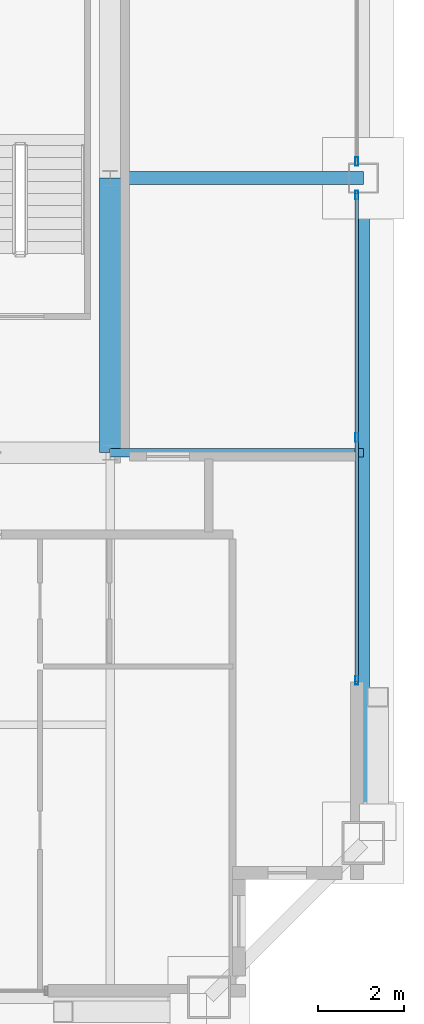
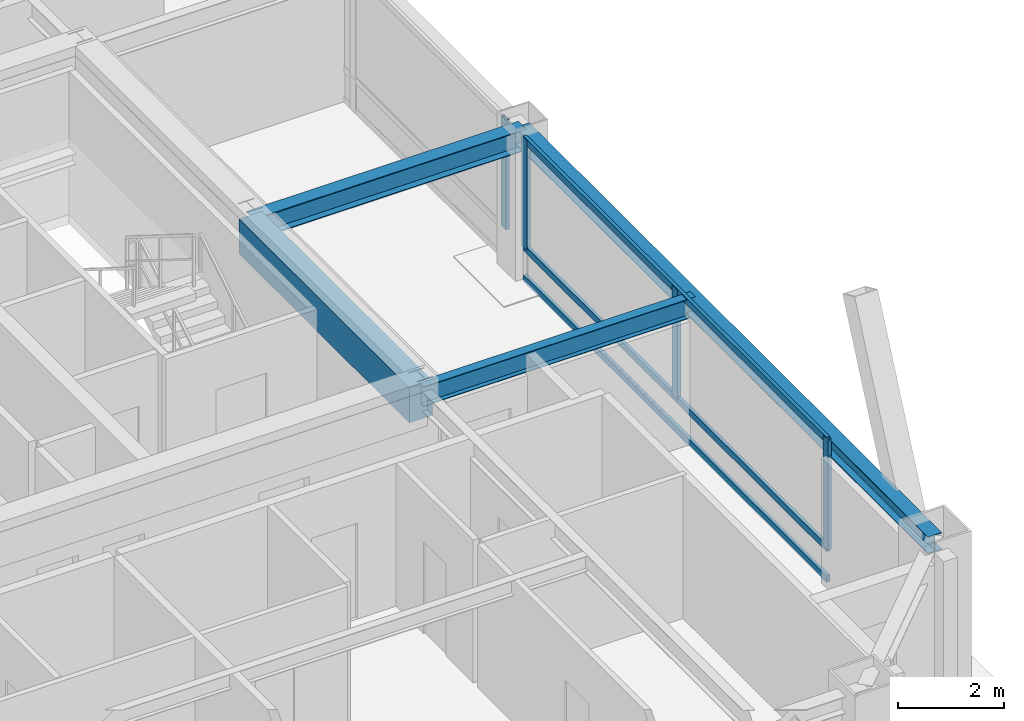
# One storey, part 14 of 35: 7 members, 4 beams, 2 elements without a shape of their own.
"""IFC4 building model written with IfcOpenShell, lengths in metres."""

from ifc_helpers import new_model, si_unit, direction, frame, origin, origin_2d, place, context, subcontext, project, spatial, rectangle, hollow_rectangle, i_section, extrude, source, transform, mapped, material, layer, layer_set, material_profile, profile_set, type_object, element, aggregate, save


model = new_model("IFC4")

# Units and contexts
model_context = context("Model", 3, precision=1e-05, world=origin(), true_north=direction((0.0, 1.0)))
body_context = subcontext(model_context, "Body", "Model", "MODEL_VIEW")
ifc_project = project(units=[si_unit("LENGTHUNIT", "METRE"), si_unit("AREAUNIT", "SQUARE_METRE"), si_unit("VOLUMEUNIT", "CUBIC_METRE"), si_unit("PLANEANGLEUNIT", "RADIAN"), si_unit("MASSUNIT", "GRAM", prefix="KILO"), si_unit("THERMODYNAMICTEMPERATUREUNIT", "KELVIN"), si_unit("POWERUNIT", "WATT")], contexts=[model_context])

# Site, building, storey
site_placement = place(None, origin())
site = spatial("IfcSite", under=ifc_project, at=site_placement, CompositionType="ELEMENT")
building_placement = place(site_placement, origin())
building = spatial("IfcBuilding", under=site, at=building_placement, Name="Yuzanri Waterfront Tower", CompositionType="ELEMENT")
storey_placement = place(building_placement, frame((0.0, 0.0, 285.60009765625)))
storey = spatial("IfcBuildingStorey", under=building, at=storey_placement, Name="L76", CompositionType="ELEMENT", Elevation=285.60009765625)

# Beams
ifc_material_1 = material(Name="Concrete C50", Category="concrete")
ifc_material_profile_1 = material_profile(ifc_material_1, rectangle(XDim=0.5, YDim=0.800048828125, at=origin_2d()), Name="RC 500x800")
ifc_profile_set_1 = profile_set([ifc_material_profile_1], Name="Concrete C50")
beam_type_1 = type_object("IfcBeamType", Name="Core Coupling Lintel Concrete C50 500x800", PredefinedType="LINTEL", material=ifc_profile_set_1)
shared_shape_1 = source(origin(), body_context, "Body", "SweptSolid", [
    extrude(rectangle(XDim=0.5, YDim=0.800048828125, at=origin_2d()), origin(), (0.0, 0.0, 1.0), 6.400146484375),
])
beam_1_placement = place(storey_placement, frame((50.199951171875, 19.39990234375, 2.8798828125), z_axis=(0.0, 1.0, 0.0), x_axis=(-1.0, 0.0, 0.0)))
element("IfcBeam", 1, at=beam_1_placement, inside=storey, type_object=beam_type_1, Name="L76 Core Tie Beam CE1", PredefinedType="LINTEL", context=body_context, shape_type="MappedRepresentation", body=[
    mapped(shared_shape_1, transform((0.0, 0.0, 0.0), scale=1.0)),
])
ifc_material_2 = material(Name="Steel Q355B", Category="steel")
ifc_material_profile_2 = material_profile(ifc_material_2, i_section(OverallWidth=0.300048828125, OverallDepth=0.389892578125, WebThickness=0.010009765625, FlangeThickness=0.01611328125, at=origin_2d()), Name="HM 390x300x10x16")
ifc_profile_set_2 = profile_set([ifc_material_profile_2], Name="Steel Q355B")
beam_type_2 = type_object("IfcBeamType", Name="Perimeter Spandrel Q355B HM 390x300", PredefinedType="SPANDREL", material=ifc_profile_set_2)
shared_shape_2 = source(origin(), body_context, "Body", "SweptSolid", [
    extrude(i_section(OverallWidth=0.300048828125, OverallDepth=0.389892578125, WebThickness=0.010009765625, FlangeThickness=0.01611328125, at=origin_2d()), origin(), (0.0, 0.0, 1.0), 15.5),
])
beam_2_placement = place(storey_placement, frame((56.10009765625, 10.300048828125, 3.0849609375), z_axis=(0.0, 1.0, 0.0), x_axis=(-1.0, 0.0, 0.0)))
element("IfcBeam", 2, at=beam_2_placement, inside=storey, type_object=beam_type_2, Name="L76 Perimeter Spandrel E1-E2", PredefinedType="SPANDREL", context=body_context, shape_type="MappedRepresentation", body=[
    mapped(shared_shape_2, transform((0.0, 0.0, 0.0), scale=1.0)),
])
ifc_material_3 = material(Name="Steel Q355B", Category="steel")
ifc_material_profile_3 = material_profile(ifc_material_3, i_section(OverallWidth=0.300048828125, OverallDepth=0.488037109375, WebThickness=0.010986328125, FlangeThickness=0.01806640625, at=origin_2d()), Name="HM 488x300x11x18")
ifc_profile_set_3 = profile_set([ifc_material_profile_3], Name="Steel Q355B")
beam_type_3 = type_object("IfcBeamType", Name="Primary Floor Girder Q355B HM 488x300", PredefinedType="BEAM", material=ifc_profile_set_3)
shared_shape_3 = source(origin(), body_context, "Body", "SweptSolid", [
    extrude(i_section(OverallWidth=0.300048828125, OverallDepth=0.488037109375, WebThickness=0.010986328125, FlangeThickness=0.01806640625, at=origin_2d()), origin(), (0.0, 0.0, 1.0), 5.900146484375),
])
beam_3_placement = place(storey_placement, frame((50.199951171875, 25.800048828125, 3.035888671875), z_axis=(1.0, 0.0, 0.0), x_axis=(0.0, 1.0, 0.0)))
element("IfcBeam", 3, at=beam_3_placement, inside=storey, type_object=beam_type_3, Name="L76 East Grid Girder", PredefinedType="BEAM", context=body_context, shape_type="MappedRepresentation", body=[
    mapped(shared_shape_3, transform((0.0, 0.0, 0.0), scale=1.0)),
])
ifc_material_4 = material(Name="Steel Q355B", Category="steel")
ifc_material_profile_4 = material_profile(ifc_material_4, i_section(OverallWidth=0.199951171875, OverallDepth=0.449951171875, WebThickness=0.009033203125, FlangeThickness=0.013916015625, at=origin_2d()), Name="HN 450x200x9x14")
ifc_profile_set_4 = profile_set([ifc_material_profile_4], Name="Steel Q355B")
beam_type_4 = type_object("IfcBeamType", Name="Secondary Floor Beam Q355B HN 450x200", PredefinedType="BEAM", material=ifc_profile_set_4)
shared_shape_4 = source(origin(), body_context, "Body", "SweptSolid", [
    extrude(i_section(OverallWidth=0.199951171875, OverallDepth=0.449951171875, WebThickness=0.009033203125, FlangeThickness=0.013916015625, at=origin_2d()), origin(), (0.0, 0.0, 1.0), 5.900146484375),
])
beam_4_placement = place(storey_placement, frame((50.199951171875, 19.39990234375, 3.054931640625), z_axis=(1.0, 0.0, 0.0), x_axis=(0.0, 1.0, 0.0)))
element("IfcBeam", 4, at=beam_4_placement, inside=storey, type_object=beam_type_4, Name="L76 East-South Core Line Beam", PredefinedType="BEAM", context=body_context, shape_type="MappedRepresentation", body=[
    mapped(shared_shape_4, transform((0.0, 0.0, 0.0), scale=1.0)),
])

# Curtain wall, members
ifc_material_5 = material(Name="Anodized Architectural Bronze", Category="metal")
ifc_layer = layer(ifc_material_5, 0.159912109375)
ifc_layer_set = layer_set([ifc_layer], Name="Anodized Architectural Bronze")
curtain_wall_type = type_object("IfcCurtainWallType", Name="Anodized Bronze High-Rise Penthouse High-Wind Unitized Curtain Wall 6900", PredefinedType="NOTDEFINED", material=ifc_layer_set)
curtain_wall_1_placement = place(storey_placement, origin())
curtain_wall_1 = element("IfcCurtainWall", 5, at=curtain_wall_1_placement, inside=storey, type_object=curtain_wall_type, Name="L76 Curtain Wall CW-L76-EL", PredefinedType="NOTDEFINED")
ifc_material_6 = material(Name="Anodized Architectural Bronze", Category="metal")
ifc_material_profile_5 = material_profile(ifc_material_6, hollow_rectangle(XDim=0.074951171875, YDim=0.199951171875, WallThickness=0.00390625, at=origin_2d()), Name="CWM 75x200")
ifc_profile_set_5 = profile_set([ifc_material_profile_5], Name="Anodized Architectural Bronze")
member_type_1 = type_object("IfcMemberType", Name="Anodized Bronze Primary Curtain-Wall Mullion 75x200", PredefinedType="MULLION", material=ifc_profile_set_5)
shared_shape_5 = source(origin(), body_context, "Body", "SweptSolid", [
    extrude(hollow_rectangle(XDim=0.074951171875, YDim=0.199951171875, WallThickness=0.00390625, at=origin_2d()), origin(), (0.0, 0.0, 1.0), 2.52392578125),
])
member_1_placement = place(storey_placement, frame((55.949951171875, 14.090087890625, 0.755859375), z_axis=(0.0, 0.0, 1.0), x_axis=(1.0, 0.0, 0.0)))
member_1 = element("IfcMember", 6, at=member_1_placement, type_object=member_type_1, Name="CW-L76-EL Upper Mullion 00", PredefinedType="MULLION", context=body_context, shape_type="MappedRepresentation", body=[
    mapped(shared_shape_5, transform((0.0, 0.0, 0.0), scale=1.0)),
])
member_2_placement = place(storey_placement, frame((55.949951171875, 19.75, 0.755859375), z_axis=(0.0, 0.0, 1.0), x_axis=(1.0, 0.0, 0.0)))
member_2 = element("IfcMember", 7, at=member_2_placement, type_object=member_type_1, Name="CW-L76-EL Upper Mullion 01", PredefinedType="MULLION", context=body_context, shape_type="MappedRepresentation", body=[
    mapped(shared_shape_5, transform((0.0, 0.0, 0.0), scale=1.0)),
])
member_3_placement = place(storey_placement, frame((55.949951171875, 25.409912109375, 0.755859375), z_axis=(0.0, 0.0, 1.0), x_axis=(1.0, 0.0, 0.0)))
member_3 = element("IfcMember", 8, at=member_3_placement, type_object=member_type_1, Name="CW-L76-EL Upper Mullion 02", PredefinedType="MULLION", context=body_context, shape_type="MappedRepresentation", body=[
    mapped(shared_shape_5, transform((0.0, 0.0, 0.0), scale=1.0)),
])

# Curtain wall, member
curtain_wall_2_placement = place(storey_placement, origin())
curtain_wall_2 = element("IfcCurtainWall", 9, at=curtain_wall_2_placement, inside=storey, type_object=curtain_wall_type, Name="L76 Curtain Wall CW-L76-ER", PredefinedType="NOTDEFINED")
member_4_placement = place(storey_placement, frame((55.949951171875, 26.18994140625, 0.755859375), z_axis=(0.0, 0.0, 1.0), x_axis=(1.0, 0.0, 0.0)))
member_4 = element("IfcMember", 10, at=member_4_placement, type_object=member_type_1, Name="CW-L76-ER Upper Mullion 00", PredefinedType="MULLION", context=body_context, shape_type="MappedRepresentation", body=[
    mapped(shared_shape_5, transform((0.0, 0.0, 0.0), scale=1.0)),
])
aggregate(curtain_wall_2, [member_4])

# Member
ifc_material_7 = material(Name="Anodized Architectural Bronze", Category="metal")
ifc_material_profile_6 = material_profile(ifc_material_7, hollow_rectangle(XDim=0.074951171875, YDim=0.14990234375, WallThickness=0.00390625, at=origin_2d()), Name="CWT 75x150")
ifc_profile_set_6 = profile_set([ifc_material_profile_6], Name="Anodized Architectural Bronze")
member_type_2 = type_object("IfcMemberType", Name="Anodized Bronze Primary Curtain-Wall Transom 75x150", PredefinedType="USERDEFINED", material=ifc_profile_set_6)
shared_shape_6 = source(origin(), body_context, "Body", "SweptSolid", [
    extrude(hollow_rectangle(XDim=0.074951171875, YDim=0.14990234375, WallThickness=0.00390625, at=origin_2d()), origin(), (0.0, 0.0, 1.0), 11.39990234375),
])
member_5_placement = place(storey_placement, frame((55.949951171875, 14.050048828125, 0.0498046875), z_axis=(0.0, 1.0, 0.0), x_axis=(-1.0, 0.0, 0.0)))
member_5 = element("IfcMember", 11, at=member_5_placement, type_object=member_type_2, Name="CW-L76-EL Transom 1", ObjectType="TRANSOM", PredefinedType="USERDEFINED", context=body_context, shape_type="MappedRepresentation", body=[
    mapped(shared_shape_6, transform((0.0, 0.0, 0.0), scale=1.0)),
])

member_6_placement = place(storey_placement, frame((55.949951171875, 14.050048828125, 0.75390625), z_axis=(0.0, 1.0, 0.0), x_axis=(-1.0, 0.0, 0.0)))
member_6 = element("IfcMember", 12, at=member_6_placement, type_object=member_type_2, Name="CW-L76-EL Transom 2", ObjectType="TRANSOM", PredefinedType="USERDEFINED", context=body_context, shape_type="MappedRepresentation", body=[
    mapped(shared_shape_6, transform((0.0, 0.0, 0.0), scale=1.0)),
])

member_7_placement = place(storey_placement, frame((55.949951171875, 14.050048828125, 3.22998046875), z_axis=(0.0, 1.0, 0.0), x_axis=(-1.0, 0.0, 0.0)))
member_7 = element("IfcMember", 13, at=member_7_placement, type_object=member_type_2, Name="CW-L76-EL Transom 3", ObjectType="TRANSOM", PredefinedType="USERDEFINED", context=body_context, shape_type="MappedRepresentation", body=[
    mapped(shared_shape_6, transform((0.0, 0.0, 0.0), scale=1.0)),
])

aggregate(curtain_wall_1, [member_1, member_2, member_3, member_5, member_6, member_7])

save(model, "model.ifc")
